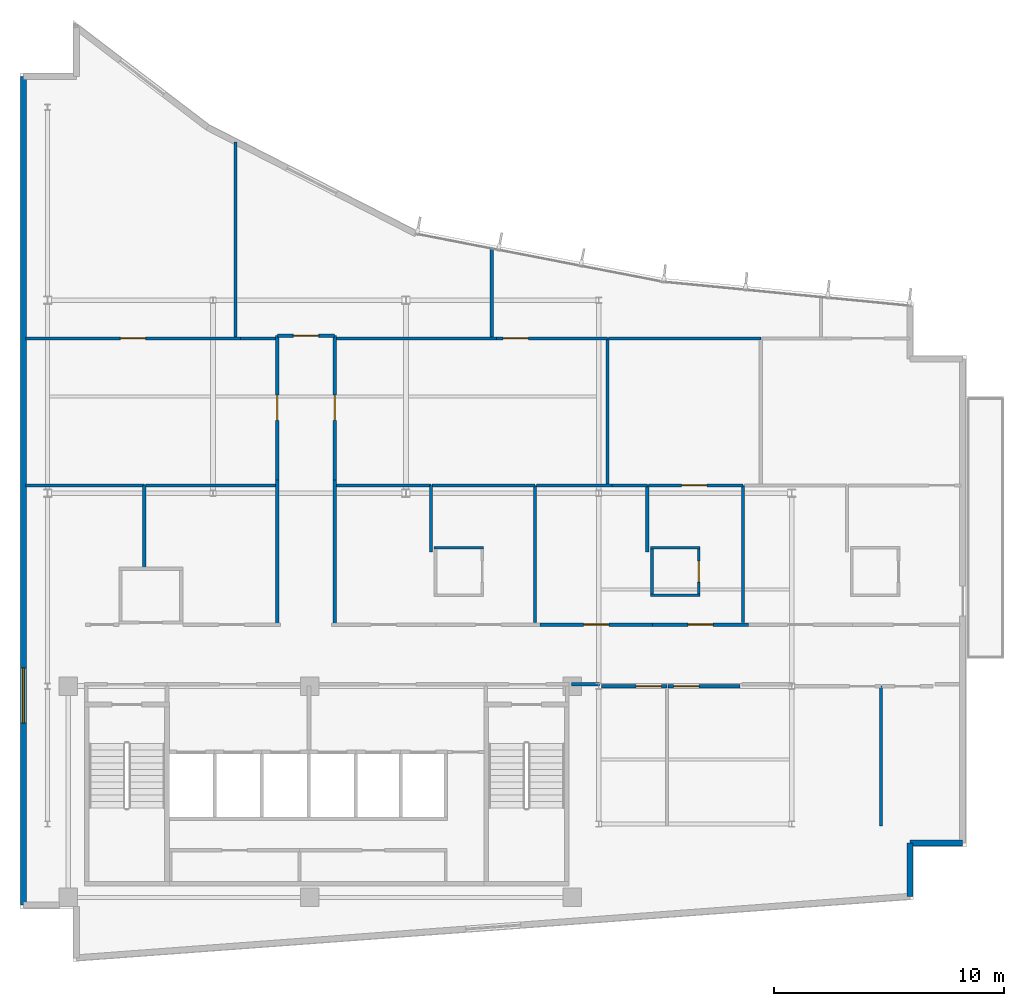
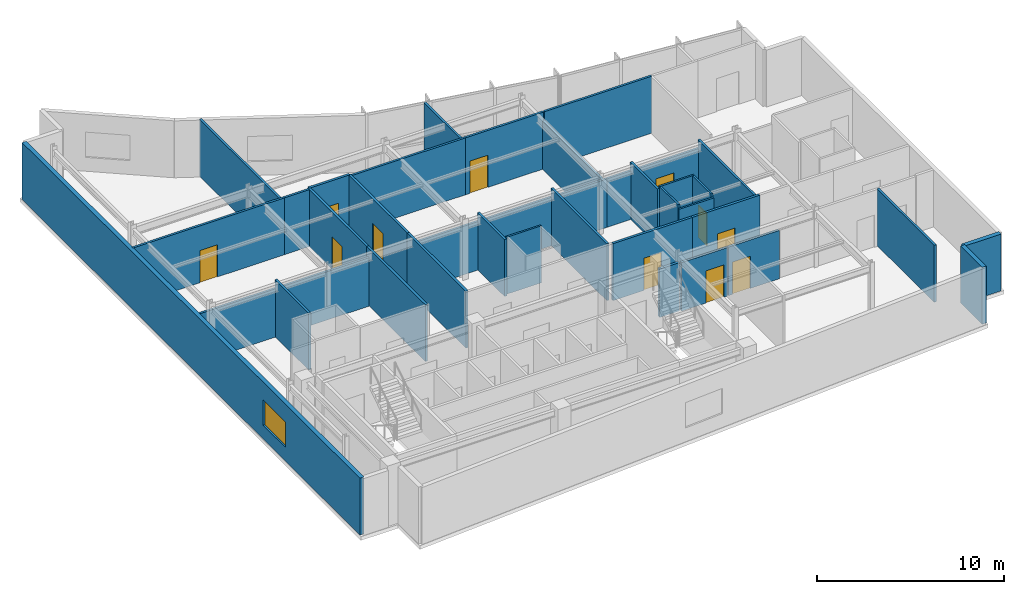
# One storey, part 11 of 15: 39 walls, 11 doors, 1 window, 12 openings.
"""IFC4 building model written with IfcOpenShell, lengths in metres."""

from ifc_helpers import new_model, si_unit, direction, frame, frame_2d, origin, place, context, subcontext, project, spatial, rectangle, extrude, material, layer, layer_set, type_object, element, fill, save


model = new_model("IFC4")

# Units and contexts
model_context = context("Model", 3, precision=1e-05, world=origin(), true_north=direction((0.0, 1.0)))
body_context = subcontext(model_context, "Body", "Model", "MODEL_VIEW")
ifc_project = project(units=[si_unit("LENGTHUNIT", "METRE"), si_unit("AREAUNIT", "SQUARE_METRE"), si_unit("VOLUMEUNIT", "CUBIC_METRE"), si_unit("PLANEANGLEUNIT", "RADIAN"), si_unit("MASSUNIT", "GRAM", prefix="KILO")], contexts=[model_context])

# Site, building, storey
site_placement = place(None, origin())
site = spatial("IfcSite", under=ifc_project, at=site_placement, CompositionType="ELEMENT")
building_placement = place(site_placement, origin())
building = spatial("IfcBuilding", under=site, at=building_placement, Name="Varnakote Quay Hospital", CompositionType="ELEMENT")
storey_placement = place(building_placement, frame((0.0, 0.0, 276.300048828125)))
storey = spatial("IfcBuildingStorey", under=building, at=storey_placement, Name="L68", CompositionType="ELEMENT", Elevation=276.300048828125)

# Walls
ifc_material_1 = material(Name="Fire-rated acoustic gypsum stud wall", Category="gypsum")
ifc_layer_1 = layer(ifc_material_1, 0.159912109375)
ifc_layer_set_1 = layer_set([ifc_layer_1], Name="Fire-rated acoustic gypsum stud wall")
wall_type_1 = type_object("IfcWallType", Name="WL-COMP-160", PredefinedType="PARTITIONING", material=ifc_layer_set_1)
wall_1_placement = place(storey_placement, frame((24.02001953125, 12.080078125, 0.0), z_axis=(0.0, 0.0, 1.0), x_axis=(1.0, 0.0, 0.0)))
element("IfcWall", 1, at=wall_1_placement, inside=storey, type_object=wall_type_1, Name="L68 Corridor South Gap Wall", PredefinedType="PARTITIONING", context=body_context, shape_type="SweptSolid", body=[
    extrude(rectangle(XDim=1.2177734375, YDim=0.159912109375, at=frame_2d((0.60888671875, 0.0))), origin(), (0.0, 0.0, 1.0), 3.156982421875),
])
ifc_material_2 = material(Name="Moisture-resistant bathroom partition", Category="gypsum")
ifc_layer_2 = layer(ifc_material_2, 0.114990234375)
ifc_layer_set_2 = layer_set([ifc_layer_2], Name="Moisture-resistant bathroom partition")
wall_type_2 = type_object("IfcWallType", Name="WL-ENS-115", PredefinedType="PARTITIONING", material=ifc_layer_set_2)
wall_2_placement = place(storey_placement, frame((18.034912109375, 18.017578125, 0.0), z_axis=(0.0, 0.0, 1.0), x_axis=(1.0, 0.0, 0.0)))
element("IfcWall", 2, at=wall_2_placement, inside=storey, type_object=wall_type_2, Name="L68 Inpatient En-Suite Bathroom 01 N Wall", PredefinedType="PARTITIONING", context=body_context, shape_type="SweptSolid", body=[
    extrude(rectangle(XDim=2.150146484375, YDim=0.114990234375, at=frame_2d((1.0751953125, 0.0))), origin(), (0.0, 0.0, 1.0), 3.7099609375),
])
wall_3_placement = place(storey_placement, frame((27.455078125, 15.952392578125, 0.0), z_axis=(0.0, 0.0, 1.0), x_axis=(1.0, 0.0, 0.0)))
element("IfcWall", 3, at=wall_3_placement, inside=storey, type_object=wall_type_2, Name="L68 Inpatient En-Suite Bathroom 02 S Wall", PredefinedType="PARTITIONING", context=body_context, shape_type="SweptSolid", body=[
    extrude(rectangle(XDim=2.14990234375, YDim=0.114990234375, at=frame_2d((1.074951171875, 0.0))), origin(), (0.0, 0.0, 1.0), 3.47802734375),
])
wall_4_placement = place(storey_placement, frame((27.455078125, 18.017578125, 0.0), z_axis=(0.0, 0.0, 1.0), x_axis=(1.0, 0.0, 0.0)))
element("IfcWall", 4, at=wall_4_placement, inside=storey, type_object=wall_type_2, Name="L68 Inpatient En-Suite Bathroom 02 N Wall", PredefinedType="PARTITIONING", context=body_context, shape_type="SweptSolid", body=[
    extrude(rectangle(XDim=2.14990234375, YDim=0.114990234375, at=frame_2d((1.074951171875, 0.0))), origin(), (0.0, 0.0, 1.0), 3.7099609375),
])
wall_5_placement = place(storey_placement, frame((27.512451171875, 16.010009765625, 0.0), z_axis=(0.0, 0.0, 1.0), x_axis=(0.0, 1.0, 0.0)))
element("IfcWall", 5, at=wall_5_placement, inside=storey, type_object=wall_type_2, Name="L68 Inpatient En-Suite Bathroom 02 W Wall", PredefinedType="PARTITIONING", context=body_context, shape_type="SweptSolid", body=[
    extrude(rectangle(XDim=1.949951171875, YDim=0.114990234375, at=frame_2d((0.97509765625, 0.0))), origin(), (0.0, 0.0, 1.0), 3.7099609375),
])

# Wall, opening, door
wall_6_placement = place(storey_placement, frame((29.547607421875, 16.010009765625, 0.0), z_axis=(0.0, 0.0, 1.0), x_axis=(0.0, 1.0, 0.0)))
wall_6 = element("IfcWall", 6, at=wall_6_placement, inside=storey, type_object=wall_type_2, Name="L68 Inpatient En-Suite Bathroom 02 E Wall", PredefinedType="PARTITIONING", context=body_context, shape_type="SweptSolid", body=[
    extrude(rectangle(XDim=1.949951171875, YDim=0.114990234375, at=frame_2d((0.97509765625, 0.0))), origin(), (0.0, 0.0, 1.0), 3.7099609375),
])
opening_1_placement = place(wall_6_placement, frame((0.514892578125, 0.0, 0.0)))
opening_1 = element("IfcOpeningElement", 7, at=opening_1_placement, cuts=wall_6, Name="Opening D-L68-ENS02", PredefinedType="OPENING", context=body_context, shape_type="SweptSolid", body=[
    extrude(rectangle(XDim=0.919921875, YDim=2.10009765625, at=frame_2d((0.4599609375, 1.050048828125))), frame((0.0, 0.0673828125, 0.0), z_axis=(0.0, -1.0, 0.0), x_axis=(1.0, 0.0, 0.0)), (0.0, 0.0, 1.0), 0.135009765625),
])
ifc_material_3 = material(Name="Moisture-sealed en-suite bathroom door")
door_type_1 = type_object("IfcDoorType", Name="DR-ENS-920x2100", OperationType="NOTDEFINED", PredefinedType="DOOR", material=ifc_material_3)
door_1_placement = place(opening_1_placement, origin())
door_1 = element("IfcDoor", 8, at=door_1_placement, inside=storey, type_object=door_type_1, Name="L68 Inpatient En-Suite Bathroom 02 Door", OperationType="SINGLE_SWING_RIGHT", OverallHeight=2.10009765625, OverallWidth=0.919921875, PredefinedType="DOOR", context=body_context, shape_type="SweptSolid", body=[
    extrude(rectangle(XDim=0.919921875, YDim=2.10009765625, at=frame_2d((0.4599609375, 1.050048828125))), frame((0.0, 0.02490234375, 0.0), z_axis=(0.0, -1.0, 0.0), x_axis=(1.0, 0.0, 0.0)), (0.0, 0.0, 1.0), 0.050048828125),
])
fill(opening_1, door_1)

# Walls
ifc_material_4 = material(Name="Precast concrete N50 (f'c 50 MPa)", Category="concrete")
ifc_layer_3 = layer(ifc_material_4, 0.260009765625)
ifc_layer_set_3 = layer_set([ifc_layer_3], Name="Precast concrete N50 (f'c 50 MPa)")
wall_type_3 = type_object("IfcWallType", Name="WL-EXT-BRICK-260", PredefinedType="STANDARD", material=ifc_layer_set_3)
wall_7_placement = place(storey_placement, frame((38.739990234375, 2.8486328125, 0.0), z_axis=(0.0, 0.0, 1.0), x_axis=(0.0, 1.0, 0.0)))
element("IfcWall", 9, at=wall_7_placement, inside=storey, type_object=wall_type_3, Name="L68 Brick-Faced Precast Exterior Wall", PredefinedType="STANDARD", context=body_context, shape_type="SweptSolid", body=[
    extrude(rectangle(XDim=2.311279296875, YDim=0.260009765625, at=frame_2d((1.15576171875, 0.0))), origin(), (0.0, 0.0, 1.0), 3.7099609375),
])
wall_8_placement = place(storey_placement, frame((38.739990234375, 5.159912109375, 0.0), z_axis=(0.0, 0.0, 1.0), x_axis=(1.0, 0.0, 0.0)))
element("IfcWall", 10, at=wall_8_placement, inside=storey, type_object=wall_type_3, Name="L68 Brick-Faced Precast Exterior Wall", PredefinedType="STANDARD", context=body_context, shape_type="SweptSolid", body=[
    extrude(rectangle(XDim=2.300048828125, YDim=0.260009765625, at=frame_2d((1.14990234375, 0.0))), origin(), (0.0, 0.0, 1.0), 3.7099609375),
])

# Wall, opening, window
wall_9_placement = place(storey_placement, frame((0.159912109375, 38.5400390625, 0.0), z_axis=(0.0, 0.0, 1.0), x_axis=(0.0, -1.0, 0.0)))
wall_9 = element("IfcWall", 11, at=wall_9_placement, inside=storey, type_object=wall_type_3, Name="L68 Brick-Faced Precast Exterior Wall", PredefinedType="STANDARD", context=body_context, shape_type="SweptSolid", body=[
    extrude(rectangle(XDim=36.080078125, YDim=0.260009765625, at=frame_2d((18.0400390625, 0.0))), origin(), (0.0, 0.0, 1.0), 3.7099609375),
])
opening_2_placement = place(wall_9_placement, frame((25.75, 0.0, 0.89990234375)))
opening_2 = element("IfcOpeningElement", 12, at=opening_2_placement, cuts=wall_9, Name="Opening WN-0277", PredefinedType="OPENING", context=body_context, shape_type="SweptSolid", body=[
    extrude(rectangle(XDim=2.39990234375, YDim=1.64990234375, at=frame_2d((1.199951171875, 0.824951171875))), frame((0.0, 0.139892578125, 0.0), z_axis=(0.0, -1.0, 0.0), x_axis=(1.0, 0.0, 0.0)), (0.0, 0.0, 1.0), 0.280029296875),
])
ifc_material_5 = material(Name="Double-glazed low-E solar glass", Category="glass")
window_type = type_object("IfcWindowType", Name="WIN-CLIN-2400x1650", PartitioningType="SINGLE_PANEL", PredefinedType="WINDOW", material=ifc_material_5)
window_placement = place(opening_2_placement, origin())
window = element("IfcWindow", 13, at=window_placement, inside=storey, type_object=window_type, Name="L68 Solar-Control Clinical Window", OverallHeight=1.64990234375, OverallWidth=2.39990234375, PartitioningType="SINGLE_PANEL", PredefinedType="WINDOW", context=body_context, shape_type="SweptSolid", body=[
    extrude(rectangle(XDim=2.39990234375, YDim=1.64990234375, at=frame_2d((1.199951171875, 0.824951171875))), frame((0.0, 0.030029296875, 0.0), z_axis=(0.0, -1.0, 0.0), x_axis=(1.0, 0.0, 0.0)), (0.0, 0.0, 1.0), 0.06005859375),
])
fill(opening_2, window)

# Walls
ifc_material_6 = material(Name="Smoke-proof clinical partition", Category="gypsum")
ifc_layer_4 = layer(ifc_material_6, 0.135009765625)
ifc_layer_set_4 = layer_set([ifc_layer_4], Name="Smoke-proof clinical partition")
wall_type_4 = type_object("IfcWallType", Name="WL-SMOKE-135", PredefinedType="PARTITIONING", material=ifc_layer_set_4)
wall_10_placement = place(storey_placement, frame((37.47998046875, 5.89990234375, 0.0), z_axis=(0.0, 0.0, 1.0), x_axis=(0.0, 1.0, 0.0)))
element("IfcWall", 14, at=wall_10_placement, inside=storey, type_object=wall_type_4, Name="L68 Clinical Interior Partition", PredefinedType="PARTITIONING", context=body_context, shape_type="SweptSolid", body=[
    extrude(rectangle(XDim=6.10009765625, YDim=0.135009765625, at=frame_2d((3.050048828125, 0.0))), origin(), (0.0, 0.0, 1.0), 3.7099609375),
])
wall_11_placement = place(storey_placement, frame((5.409912109375, 17.139892578125, 0.0), z_axis=(0.0, 0.0, 1.0), x_axis=(0.0, 1.0, 0.0)))
element("IfcWall", 15, at=wall_11_placement, inside=storey, type_object=wall_type_4, Name="L68 Clinical Interior Partition", PredefinedType="PARTITIONING", context=body_context, shape_type="SweptSolid", body=[
    extrude(rectangle(XDim=3.60009765625, YDim=0.135009765625, at=frame_2d((1.800048828125, 0.0))), origin(), (0.0, 0.0, 1.0), 3.7099609375),
])
wall_12_placement = place(storey_placement, frame((5.409912109375, 20.739990234375, 0.0), z_axis=(0.0, 0.0, 1.0), x_axis=(-1.0, 0.0, 0.0)))
element("IfcWall", 16, at=wall_12_placement, inside=storey, type_object=wall_type_4, Name="L68 Clinical Interior Partition", PredefinedType="PARTITIONING", context=body_context, shape_type="SweptSolid", body=[
    extrude(rectangle(XDim=5.169921875, YDim=0.135009765625, at=frame_2d((2.5849609375, 0.0))), origin(), (0.0, 0.0, 1.0), 3.156982421875),
])
wall_13_placement = place(storey_placement, frame((11.1201171875, 20.739990234375, 0.0), z_axis=(0.0, 0.0, 1.0), x_axis=(-1.0, 0.0, 0.0)))
element("IfcWall", 17, at=wall_13_placement, inside=storey, type_object=wall_type_4, Name="L68 Clinical Interior Partition", PredefinedType="PARTITIONING", context=body_context, shape_type="SweptSolid", body=[
    extrude(rectangle(XDim=5.652587890625, YDim=0.135009765625, at=frame_2d((2.826171875, 0.0))), origin(), (0.0, 0.0, 1.0), 3.156982421875),
])
wall_14_placement = place(storey_placement, frame((17.889892578125, 17.83251953125, 0.0), z_axis=(0.0, 0.0, 1.0), x_axis=(0.0, 1.0, 0.0)))
element("IfcWall", 18, at=wall_14_placement, inside=storey, type_object=wall_type_4, Name="L68 Clinical Interior Partition", PredefinedType="PARTITIONING", context=body_context, shape_type="SweptSolid", body=[
    extrude(rectangle(XDim=2.907470703125, YDim=0.135009765625, at=frame_2d((1.45361328125, 0.0))), origin(), (0.0, 0.0, 1.0), 3.7099609375),
])
wall_15_placement = place(storey_placement, frame((17.889892578125, 20.739990234375, 0.0), z_axis=(0.0, 0.0, 1.0), x_axis=(-1.0, 0.0, 0.0)))
element("IfcWall", 19, at=wall_15_placement, inside=storey, type_object=wall_type_4, Name="L68 Clinical Interior Partition", PredefinedType="PARTITIONING", context=body_context, shape_type="SweptSolid", body=[
    extrude(rectangle(XDim=4.10986328125, YDim=0.135009765625, at=frame_2d((2.054931640625, 0.0))), origin(), (0.0, 0.0, 1.0), 3.156982421875),
])
wall_16_placement = place(storey_placement, frame((22.419921875, 14.760009765625, 0.0), z_axis=(0.0, 0.0, 1.0), x_axis=(0.0, 1.0, 0.0)))
element("IfcWall", 20, at=wall_16_placement, inside=storey, type_object=wall_type_4, Name="L68 Clinical Interior Partition", PredefinedType="PARTITIONING", context=body_context, shape_type="SweptSolid", body=[
    extrude(rectangle(XDim=5.97998046875, YDim=0.135009765625, at=frame_2d((2.989990234375, 0.0))), origin(), (0.0, 0.0, 1.0), 3.7099609375),
])
wall_17_placement = place(storey_placement, frame((22.419921875, 20.739990234375, 0.0), z_axis=(0.0, 0.0, 1.0), x_axis=(-1.0, 0.0, 0.0)))
element("IfcWall", 21, at=wall_17_placement, inside=storey, type_object=wall_type_4, Name="L68 Clinical Interior Partition", PredefinedType="PARTITIONING", context=body_context, shape_type="SweptSolid", body=[
    extrude(rectangle(XDim=4.472412109375, YDim=0.135009765625, at=frame_2d((2.236328125, 0.0))), origin(), (0.0, 0.0, 1.0), 3.156982421875),
])
wall_18_placement = place(storey_placement, frame((27.31005859375, 17.83251953125, 0.0), z_axis=(0.0, 0.0, 1.0), x_axis=(0.0, 1.0, 0.0)))
element("IfcWall", 22, at=wall_18_placement, inside=storey, type_object=wall_type_4, Name="L68 Clinical Interior Partition", PredefinedType="PARTITIONING", context=body_context, shape_type="SweptSolid", body=[
    extrude(rectangle(XDim=2.907470703125, YDim=0.135009765625, at=frame_2d((1.45361328125, 0.0))), origin(), (0.0, 0.0, 1.0), 3.7099609375),
])
wall_19_placement = place(storey_placement, frame((25.777587890625, 20.739990234375, 0.0), z_axis=(0.0, 0.0, 1.0), x_axis=(-1.0, 0.0, 0.0)))
element("IfcWall", 23, at=wall_19_placement, inside=storey, type_object=wall_type_4, Name="L68 Clinical Interior Partition", PredefinedType="PARTITIONING", context=body_context, shape_type="SweptSolid", body=[
    extrude(rectangle(XDim=3.300048828125, YDim=0.135009765625, at=frame_2d((1.64990234375, 0.0))), origin(), (0.0, 0.0, 1.0), 3.156982421875),
])
wall_20_placement = place(storey_placement, frame((27.31005859375, 20.739990234375, 0.0), z_axis=(0.0, 0.0, 1.0), x_axis=(-1.0, 0.0, 0.0)))
element("IfcWall", 24, at=wall_20_placement, inside=storey, type_object=wall_type_4, Name="L68 Clinical Interior Partition", PredefinedType="PARTITIONING", context=body_context, shape_type="SweptSolid", body=[
    extrude(rectangle(XDim=1.530517578125, YDim=0.135009765625, at=frame_2d((0.76513671875, 0.0))), origin(), (0.0, 0.0, 1.0), 3.156982421875),
])
wall_21_placement = place(storey_placement, frame((31.47998046875, 14.760009765625, 0.0), z_axis=(0.0, 0.0, 1.0), x_axis=(0.0, 1.0, 0.0)))
element("IfcWall", 25, at=wall_21_placement, inside=storey, type_object=wall_type_4, Name="L68 Clinical Interior Partition", PredefinedType="PARTITIONING", context=body_context, shape_type="SweptSolid", body=[
    extrude(rectangle(XDim=5.97998046875, YDim=0.135009765625, at=frame_2d((2.989990234375, 0.0))), origin(), (0.0, 0.0, 1.0), 3.7099609375),
])

# Wall, opening, door
wall_22_placement = place(storey_placement, frame((31.47998046875, 20.739990234375, 0.0), z_axis=(0.0, 0.0, 1.0), x_axis=(-1.0, 0.0, 0.0)))
wall_22 = element("IfcWall", 26, at=wall_22_placement, inside=storey, type_object=wall_type_4, Name="L68 Clinical Interior Partition", PredefinedType="PARTITIONING", context=body_context, shape_type="SweptSolid", body=[
    extrude(rectangle(XDim=4.112548828125, YDim=0.135009765625, at=frame_2d((2.05615234375, 0.0))), origin(), (0.0, 0.0, 1.0), 3.156982421875),
])
opening_3_placement = place(wall_22_placement, frame((1.571533203125, 0.0, 0.0)))
opening_3 = element("IfcOpeningElement", 27, at=opening_3_placement, cuts=wall_22, Name="Opening D-L68-MD08", PredefinedType="OPENING", context=body_context, shape_type="SweptSolid", body=[
    extrude(rectangle(XDim=1.10009765625, YDim=2.10009765625, at=frame_2d((0.550048828125, 1.050048828125))), frame((0.0, 0.077392578125, 0.0), z_axis=(0.0, -1.0, 0.0), x_axis=(1.0, 0.0, 0.0)), (0.0, 0.0, 1.0), 0.155029296875),
])
ifc_material_7 = material(Name="Acoustic timber clinical consult door", Category="wood")
door_type_2 = type_object("IfcDoorType", Name="DR-CLIN-FD30S-1100x2100", OperationType="NOTDEFINED", PredefinedType="DOOR", material=ifc_material_7)
door_2_placement = place(opening_3_placement, origin())
door_2 = element("IfcDoor", 28, at=door_2_placement, inside=storey, type_object=door_type_2, Name="L68 Fellowship Consult Office Door", OperationType="SINGLE_SWING_LEFT", OverallHeight=2.10009765625, OverallWidth=1.10009765625, PredefinedType="DOOR", context=body_context, shape_type="SweptSolid", body=[
    extrude(rectangle(XDim=1.10009765625, YDim=2.10009765625, at=frame_2d((0.550048828125, 1.050048828125))), frame((0.0, 0.02490234375, 0.0), z_axis=(0.0, -1.0, 0.0), x_axis=(1.0, 0.0, 0.0)), (0.0, 0.0, 1.0), 0.050048828125),
])
fill(opening_3, door_2)

wall_23_placement = place(storey_placement, frame((9.597412109375, 27.139892578125, 0.0), z_axis=(0.0, 0.0, 1.0), x_axis=(-1.0, 0.0, 0.0)))
wall_23 = element("IfcWall", 29, at=wall_23_placement, inside=storey, type_object=wall_type_4, Name="L68 Clinical Interior Partition", PredefinedType="PARTITIONING", context=body_context, shape_type="SweptSolid", body=[
    extrude(rectangle(XDim=9.357421875, YDim=0.135009765625, at=frame_2d((4.6787109375, 0.0))), origin(), (0.0, 0.0, 1.0), 3.7099609375),
])
opening_4_placement = place(wall_23_placement, frame((4.12890625, 0.0, 0.0)))
opening_4 = element("IfcOpeningElement", 30, at=opening_4_placement, cuts=wall_23, Name="Opening D-L68-MD09", PredefinedType="OPENING", context=body_context, shape_type="SweptSolid", body=[
    extrude(rectangle(XDim=1.10009765625, YDim=2.10009765625, at=frame_2d((0.550048828125, 1.050048828125))), frame((0.0, 0.077392578125, 0.0), z_axis=(0.0, -1.0, 0.0), x_axis=(1.0, 0.0, 0.0)), (0.0, 0.0, 1.0), 0.155029296875),
])
door_3_placement = place(opening_4_placement, origin())
door_3 = element("IfcDoor", 31, at=door_3_placement, inside=storey, type_object=door_type_2, Name="L68 Surgical Fellowship Teaching Room Door", OperationType="SINGLE_SWING_LEFT", OverallHeight=2.10009765625, OverallWidth=1.10009765625, PredefinedType="DOOR", context=body_context, shape_type="SweptSolid", body=[
    extrude(rectangle(XDim=1.10009765625, YDim=2.10009765625, at=frame_2d((0.550048828125, 1.050048828125))), frame((0.0, 0.02490234375, 0.0), z_axis=(0.0, -1.0, 0.0), x_axis=(1.0, 0.0, 0.0)), (0.0, 0.0, 1.0), 0.050048828125),
])
fill(opening_4, door_3)

# Walls
wall_24_placement = place(storey_placement, frame((11.1201171875, 27.139892578125, 0.0), z_axis=(0.0, 0.0, 1.0), x_axis=(-1.0, 0.0, 0.0)))
element("IfcWall", 32, at=wall_24_placement, inside=storey, type_object=wall_type_4, Name="L68 Clinical Interior Partition", PredefinedType="PARTITIONING", context=body_context, shape_type="SweptSolid", body=[
    extrude(rectangle(XDim=1.5205078125, YDim=0.135009765625, at=frame_2d((0.76025390625, 0.0))), origin(), (0.0, 0.0, 1.0), 3.7099609375),
])
wall_25_placement = place(storey_placement, frame((25.570068359375, 20.797607421875, 0.0), z_axis=(0.0, 0.0, 1.0), x_axis=(0.0, 1.0, 0.0)))
element("IfcWall", 33, at=wall_25_placement, inside=storey, type_object=wall_type_4, Name="L68 Clinical Interior Partition", PredefinedType="PARTITIONING", context=body_context, shape_type="SweptSolid", body=[
    extrude(rectangle(XDim=6.34228515625, YDim=0.135009765625, at=frame_2d((3.171142578125, 0.0))), origin(), (0.0, 0.0, 1.0), 3.156982421875),
])
wall_26_placement = place(storey_placement, frame((20.74755859375, 27.139892578125, 0.0), z_axis=(0.0, 0.0, 1.0), x_axis=(-1.0, 0.0, 0.0)))
element("IfcWall", 34, at=wall_26_placement, inside=storey, type_object=wall_type_4, Name="L68 Clinical Interior Partition", PredefinedType="PARTITIONING", context=body_context, shape_type="SweptSolid", body=[
    extrude(rectangle(XDim=6.967529296875, YDim=0.135009765625, at=frame_2d((3.48388671875, 0.0))), origin(), (0.0, 0.0, 1.0), 3.7099609375),
])

# Wall, opening, door
wall_27_placement = place(storey_placement, frame((25.570068359375, 27.139892578125, 0.0), z_axis=(0.0, 0.0, 1.0), x_axis=(-1.0, 0.0, 0.0)))
wall_27 = element("IfcWall", 35, at=wall_27_placement, inside=storey, type_object=wall_type_4, Name="L68 Clinical Interior Partition", PredefinedType="PARTITIONING", context=body_context, shape_type="SweptSolid", body=[
    extrude(rectangle(XDim=4.820556640625, YDim=0.135009765625, at=frame_2d((2.41015625, 0.0))), origin(), (0.0, 0.0, 1.0), 3.7099609375),
])
opening_5_placement = place(wall_27_placement, frame((3.4375, 0.0, 0.0)))
opening_5 = element("IfcOpeningElement", 36, at=opening_5_placement, cuts=wall_27, Name="Opening D-L68-MD11", PredefinedType="OPENING", context=body_context, shape_type="SweptSolid", body=[
    extrude(rectangle(XDim=1.10009765625, YDim=2.10009765625, at=frame_2d((0.550048828125, 1.050048828125))), frame((0.0, 0.077392578125, 0.0), z_axis=(0.0, -1.0, 0.0), x_axis=(1.0, 0.0, 0.0)), (0.0, 0.0, 1.0), 0.155029296875),
])
door_4_placement = place(opening_5_placement, origin())
door_4 = element("IfcDoor", 37, at=door_4_placement, inside=storey, type_object=door_type_2, Name="L68 Clinical Audit Meeting Room Door", OperationType="SINGLE_SWING_RIGHT", OverallHeight=2.10009765625, OverallWidth=1.10009765625, PredefinedType="DOOR", context=body_context, shape_type="SweptSolid", body=[
    extrude(rectangle(XDim=1.10009765625, YDim=2.10009765625, at=frame_2d((0.550048828125, 1.050048828125))), frame((0.0, 0.02490234375, 0.0), z_axis=(0.0, -1.0, 0.0), x_axis=(1.0, 0.0, 0.0)), (0.0, 0.0, 1.0), 0.050048828125),
])
fill(opening_5, door_4)

# Walls
wall_28_placement = place(storey_placement, frame((32.25, 27.139892578125, 0.0), z_axis=(0.0, 0.0, 1.0), x_axis=(-1.0, 0.0, 0.0)))
element("IfcWall", 38, at=wall_28_placement, inside=storey, type_object=wall_type_4, Name="L68 Clinical Interior Partition", PredefinedType="PARTITIONING", context=body_context, shape_type="SweptSolid", body=[
    extrude(rectangle(XDim=6.62255859375, YDim=0.135009765625, at=frame_2d((3.311279296875, 0.0))), origin(), (0.0, 0.0, 1.0), 3.7099609375),
])
wall_29_placement = place(storey_placement, frame((9.389892578125, 27.197509765625, 0.0), z_axis=(0.0, 0.0, 1.0), x_axis=(0.0, 1.0, 0.0)))
element("IfcWall", 39, at=wall_29_placement, inside=storey, type_object=wall_type_4, Name="L68 Clinical Interior Partition", PredefinedType="PARTITIONING", context=body_context, shape_type="SweptSolid", body=[
    extrude(rectangle(XDim=8.495849609375, YDim=0.135009765625, at=frame_2d((4.248046875, 0.0))), origin(), (0.0, 0.0, 1.0), 3.7099609375),
])
wall_30_placement = place(storey_placement, frame((20.5400390625, 27.197509765625, 0.0), z_axis=(0.0, 0.0, 1.0), x_axis=(0.0, 1.0, 0.0)))
element("IfcWall", 40, at=wall_30_placement, inside=storey, type_object=wall_type_4, Name="L68 Clinical Interior Partition", PredefinedType="PARTITIONING", context=body_context, shape_type="SweptSolid", body=[
    extrude(rectangle(XDim=3.845703125, YDim=0.135009765625, at=frame_2d((1.9228515625, 0.0))), origin(), (0.0, 0.0, 1.0), 3.7099609375),
])

# Wall, opening, door
ifc_material_8 = material(Name="Fire-rated clinical gypsum partition", Category="gypsum")
ifc_layer_5 = layer(ifc_material_8, 0.14990234375)
ifc_layer_set_5 = layer_set([ifc_layer_5], Name="Fire-rated clinical gypsum partition")
wall_type_5 = type_object("IfcWallType", Name="WL-WARD-150", PredefinedType="PARTITIONING", material=ifc_layer_set_5)
wall_31_placement = place(storey_placement, frame((28.159912109375, 12.0, 0.0), z_axis=(0.0, 0.0, 1.0), x_axis=(-1.0, 0.0, 0.0)))
wall_31 = element("IfcWall", 41, at=wall_31_placement, inside=storey, type_object=wall_type_5, Name="L68 Clinical Interior Partition", PredefinedType="PARTITIONING", context=body_context, shape_type="SweptSolid", body=[
    extrude(rectangle(XDim=2.8330078125, YDim=0.14990234375, at=frame_2d((1.41650390625, 0.0))), origin(), (0.0, 0.0, 1.0), 3.156982421875),
])
opening_6_placement = place(wall_31_placement, frame((0.2333984375, 0.0, 0.0)))
opening_6 = element("IfcOpeningElement", 42, at=opening_6_placement, cuts=wall_31, Name="Opening D-L68-RL1", PredefinedType="OPENING", context=body_context, shape_type="SweptSolid", body=[
    extrude(rectangle(XDim=1.10009765625, YDim=2.10009765625, at=frame_2d((0.550048828125, 1.050048828125))), frame((0.0, 0.0849609375, 0.0), z_axis=(0.0, -1.0, 0.0), x_axis=(1.0, 0.0, 0.0)), (0.0, 0.0, 1.0), 0.169921875),
])
door_5_placement = place(opening_6_placement, origin())
door_5 = element("IfcDoor", 43, at=door_5_placement, inside=storey, type_object=door_type_2, Name="L68 Day Infusion Treatment Suite Door", OperationType="SINGLE_SWING_RIGHT", OverallHeight=2.10009765625, OverallWidth=1.10009765625, PredefinedType="DOOR", context=body_context, shape_type="SweptSolid", body=[
    extrude(rectangle(XDim=1.10009765625, YDim=2.10009765625, at=frame_2d((0.550048828125, 1.050048828125))), frame((0.0, 0.02490234375, 0.0), z_axis=(0.0, -1.0, 0.0), x_axis=(1.0, 0.0, 0.0)), (0.0, 0.0, 1.0), 0.050048828125),
])
fill(opening_6, door_5)

wall_32_placement = place(storey_placement, frame((31.35009765625, 12.0, 0.0), z_axis=(0.0, 0.0, 1.0), x_axis=(-1.0, 0.0, 0.0)))
wall_32 = element("IfcWall", 44, at=wall_32_placement, inside=storey, type_object=wall_type_5, Name="L68 Clinical Interior Partition", PredefinedType="PARTITIONING", context=body_context, shape_type="SweptSolid", body=[
    extrude(rectangle(XDim=3.132568359375, YDim=0.14990234375, at=frame_2d((1.56640625, 0.0))), origin(), (0.0, 0.0, 1.0), 3.156982421875),
])
opening_7_placement = place(wall_32_placement, frame((1.791748046875, 0.0, 0.0)))
opening_7 = element("IfcOpeningElement", 45, at=opening_7_placement, cuts=wall_32, Name="Opening D-L68-RL2", PredefinedType="OPENING", context=body_context, shape_type="SweptSolid", body=[
    extrude(rectangle(XDim=1.10009765625, YDim=2.10009765625, at=frame_2d((0.550048828125, 1.050048828125))), frame((0.0, 0.0849609375, 0.0), z_axis=(0.0, -1.0, 0.0), x_axis=(1.0, 0.0, 0.0)), (0.0, 0.0, 1.0), 0.169921875),
])
door_6_placement = place(opening_7_placement, origin())
door_6 = element("IfcDoor", 46, at=door_6_placement, inside=storey, type_object=door_type_2, Name="L68 Telemedicine Consult Office Door", OperationType="SINGLE_SWING_LEFT", OverallHeight=2.10009765625, OverallWidth=1.10009765625, PredefinedType="DOOR", context=body_context, shape_type="SweptSolid", body=[
    extrude(rectangle(XDim=1.10009765625, YDim=2.10009765625, at=frame_2d((0.550048828125, 1.050048828125))), frame((0.0, 0.02490234375, 0.0), z_axis=(0.0, -1.0, 0.0), x_axis=(1.0, 0.0, 0.0)), (0.0, 0.0, 1.0), 0.050048828125),
])
fill(opening_7, door_6)

wall_33_placement = place(storey_placement, frame((27.535888671875, 14.679931640625, 0.0), z_axis=(0.0, 0.0, 1.0), x_axis=(-1.0, 0.0, 0.0)))
wall_33 = element("IfcWall", 47, at=wall_33_placement, inside=storey, type_object=wall_type_5, Name="L68 Clinical Interior Partition", PredefinedType="PARTITIONING", context=body_context, shape_type="SweptSolid", body=[
    extrude(rectangle(XDim=4.887939453125, YDim=0.14990234375, at=frame_2d((2.44384765625, 0.0))), origin(), (0.0, 0.0, 1.0), 3.7099609375),
])
opening_8_placement = place(wall_33_placement, frame((1.89404296875, 0.0, 0.0)))
opening_8 = element("IfcOpeningElement", 48, at=opening_8_placement, cuts=wall_33, Name="Opening D-L68-MD04", PredefinedType="OPENING", context=body_context, shape_type="SweptSolid", body=[
    extrude(rectangle(XDim=1.10009765625, YDim=2.10009765625, at=frame_2d((0.550048828125, 1.050048828125))), frame((0.0, 0.0849609375, 0.0), z_axis=(0.0, -1.0, 0.0), x_axis=(1.0, 0.0, 0.0)), (0.0, 0.0, 1.0), 0.169921875),
])
door_7_placement = place(opening_8_placement, origin())
door_7 = element("IfcDoor", 49, at=door_7_placement, inside=storey, type_object=door_type_2, Name="L68 Fellowship Consult Office Door", OperationType="SINGLE_SWING_RIGHT", OverallHeight=2.10009765625, OverallWidth=1.10009765625, PredefinedType="DOOR", context=body_context, shape_type="SweptSolid", body=[
    extrude(rectangle(XDim=1.10009765625, YDim=2.10009765625, at=frame_2d((0.550048828125, 1.050048828125))), frame((0.0, 0.02490234375, 0.0), z_axis=(0.0, -1.0, 0.0), x_axis=(1.0, 0.0, 0.0)), (0.0, 0.0, 1.0), 0.050048828125),
])
fill(opening_8, door_7)

wall_34_placement = place(storey_placement, frame((31.7060546875, 14.679931640625, 0.0), z_axis=(0.0, 0.0, 1.0), x_axis=(-1.0, 0.0, 0.0)))
wall_34 = element("IfcWall", 50, at=wall_34_placement, inside=storey, type_object=wall_type_5, Name="L68 Clinical Interior Partition", PredefinedType="PARTITIONING", context=body_context, shape_type="SweptSolid", body=[
    extrude(rectangle(XDim=4.16796875, YDim=0.14990234375, at=frame_2d((2.083984375, 0.0))), origin(), (0.0, 0.0, 1.0), 3.7099609375),
])
opening_9_placement = place(wall_34_placement, frame((1.533935546875, 0.0, 0.0)))
opening_9 = element("IfcOpeningElement", 51, at=opening_9_placement, cuts=wall_34, Name="Opening D-L68-BR02", PredefinedType="OPENING", context=body_context, shape_type="SweptSolid", body=[
    extrude(rectangle(XDim=1.10009765625, YDim=2.10009765625, at=frame_2d((0.550048828125, 1.050048828125))), frame((0.0, 0.0849609375, 0.0), z_axis=(0.0, -1.0, 0.0), x_axis=(1.0, 0.0, 0.0)), (0.0, 0.0, 1.0), 0.169921875),
])
door_8_placement = place(opening_9_placement, origin())
door_8 = element("IfcDoor", 52, at=door_8_placement, inside=storey, type_object=door_type_2, Name="L68 Inpatient Clinical Treatment Room 02 Door", OperationType="SINGLE_SWING_LEFT", OverallHeight=2.10009765625, OverallWidth=1.10009765625, PredefinedType="DOOR", context=body_context, shape_type="SweptSolid", body=[
    extrude(rectangle(XDim=1.10009765625, YDim=2.10009765625, at=frame_2d((0.550048828125, 1.050048828125))), frame((0.0, 0.02490234375, 0.0), z_axis=(0.0, -1.0, 0.0), x_axis=(1.0, 0.0, 0.0)), (0.0, 0.0, 1.0), 0.050048828125),
])
fill(opening_9, door_8)

# Walls
for number, where, z_axis, x_axis, name in (
    (53, (11.199951171875, 20.966064453125, 0.0), (0.0, 0.0, 1.0), (0.0, -1.0, 0.0), "L68 Clinical Interior Partition"),
    (54, (13.699951171875, 14.699951171875, 0.0), (0.0, 0.0, 1.0), (0.0, 1.0, 0.0), "L68 Clinical Interior Partition"),
):
    element("IfcWall", number, at=place(storey_placement, frame(where, z_axis=z_axis, x_axis=x_axis)), inside=storey, type_object=wall_type_5, Name=name, PredefinedType="PARTITIONING", context=body_context, shape_type="SweptSolid", body=[
        extrude(rectangle(XDim=6.26611328125, YDim=0.14990234375, at=frame_2d((3.133056640625, 0.0))), origin(), (0.0, 0.0, 1.0), 3.7099609375),
    ])

# Wall, opening, door
wall_35_placement = place(storey_placement, frame((11.199951171875, 27.260009765625, 0.0), z_axis=(0.0, 0.0, 1.0), x_axis=(0.0, -1.0, 0.0)))
wall_35 = element("IfcWall", 55, at=wall_35_placement, inside=storey, type_object=wall_type_5, Name="L68 Clinical Interior Partition", PredefinedType="PARTITIONING", context=body_context, shape_type="SweptSolid", body=[
    extrude(rectangle(XDim=6.2919921875, YDim=0.14990234375, at=frame_2d((3.14599609375, 0.0))), origin(), (0.0, 0.0, 1.0), 3.7099609375),
])
opening_10_placement = place(wall_35_placement, frame((2.595947265625, 0.0, 0.0)))
opening_10 = element("IfcOpeningElement", 56, at=opening_10_placement, cuts=wall_35, Name="Opening D-L68-MD06", PredefinedType="OPENING", context=body_context, shape_type="SweptSolid", body=[
    extrude(rectangle(XDim=1.10009765625, YDim=2.10009765625, at=frame_2d((0.550048828125, 1.050048828125))), frame((0.0, 0.0849609375, 0.0), z_axis=(0.0, -1.0, 0.0), x_axis=(1.0, 0.0, 0.0)), (0.0, 0.0, 1.0), 0.169921875),
])
door_9_placement = place(opening_10_placement, origin())
door_9 = element("IfcDoor", 57, at=door_9_placement, inside=storey, type_object=door_type_2, Name="L68 Craniofacial Procedure Treatment Suite Door", OperationType="SINGLE_SWING_RIGHT", OverallHeight=2.10009765625, OverallWidth=1.10009765625, PredefinedType="DOOR", context=body_context, shape_type="SweptSolid", body=[
    extrude(rectangle(XDim=1.10009765625, YDim=2.10009765625, at=frame_2d((0.550048828125, 1.050048828125))), frame((0.0, 0.02490234375, 0.0), z_axis=(0.0, -1.0, 0.0), x_axis=(1.0, 0.0, 0.0)), (0.0, 0.0, 1.0), 0.050048828125),
])
fill(opening_10, door_9)

wall_36_placement = place(storey_placement, frame((13.699951171875, 20.968017578125, 0.0), z_axis=(0.0, 0.0, 1.0), x_axis=(0.0, 1.0, 0.0)))
wall_36 = element("IfcWall", 58, at=wall_36_placement, inside=storey, type_object=wall_type_5, Name="L68 Clinical Interior Partition", PredefinedType="PARTITIONING", context=body_context, shape_type="SweptSolid", body=[
    extrude(rectangle(XDim=6.2919921875, YDim=0.14990234375, at=frame_2d((3.14599609375, 0.0))), origin(), (0.0, 0.0, 1.0), 3.7099609375),
])
opening_11_placement = place(wall_36_placement, frame((2.595947265625, 0.0, 0.0)))
opening_11 = element("IfcOpeningElement", 59, at=opening_11_placement, cuts=wall_36, Name="Opening D-L68-MD07", PredefinedType="OPENING", context=body_context, shape_type="SweptSolid", body=[
    extrude(rectangle(XDim=1.10009765625, YDim=2.10009765625, at=frame_2d((0.550048828125, 1.050048828125))), frame((0.0, 0.0849609375, 0.0), z_axis=(0.0, -1.0, 0.0), x_axis=(1.0, 0.0, 0.0)), (0.0, 0.0, 1.0), 0.169921875),
])
door_10_placement = place(opening_11_placement, origin())
door_10 = element("IfcDoor", 60, at=door_10_placement, inside=storey, type_object=door_type_2, Name="L68 Clinical Audit Meeting Room Door", OperationType="SINGLE_SWING_LEFT", OverallHeight=2.10009765625, OverallWidth=1.10009765625, PredefinedType="DOOR", context=body_context, shape_type="SweptSolid", body=[
    extrude(rectangle(XDim=1.10009765625, YDim=2.10009765625, at=frame_2d((0.550048828125, 1.050048828125))), frame((0.0, 0.02490234375, 0.0), z_axis=(0.0, -1.0, 0.0), x_axis=(1.0, 0.0, 0.0)), (0.0, 0.0, 1.0), 0.050048828125),
])
fill(opening_11, door_10)

wall_37_placement = place(storey_placement, frame((13.699951171875, 27.260009765625, 0.0), z_axis=(0.0, 0.0, 1.0), x_axis=(-1.0, 0.0, 0.0)))
wall_37 = element("IfcWall", 61, at=wall_37_placement, inside=storey, type_object=wall_type_5, Name="L68 Clinical Interior Partition", PredefinedType="PARTITIONING", context=body_context, shape_type="SweptSolid", body=[
    extrude(rectangle(XDim=2.5, YDim=0.14990234375, at=frame_2d((1.25, 0.0))), origin(), (0.0, 0.0, 1.0), 3.7099609375),
])
opening_12_placement = place(wall_37_placement, frame((0.699951171875, 0.0, 0.0)))
opening_12 = element("IfcOpeningElement", 62, at=opening_12_placement, cuts=wall_37, Name="Opening D-L68-MD10", PredefinedType="OPENING", context=body_context, shape_type="SweptSolid", body=[
    extrude(rectangle(XDim=1.10009765625, YDim=2.10009765625, at=frame_2d((0.550048828125, 1.050048828125))), frame((0.0, 0.0849609375, 0.0), z_axis=(0.0, -1.0, 0.0), x_axis=(1.0, 0.0, 0.0)), (0.0, 0.0, 1.0), 0.169921875),
])
door_11_placement = place(opening_12_placement, origin())
door_11 = element("IfcDoor", 63, at=door_11_placement, inside=storey, type_object=door_type_2, Name="L68 Craniofacial Procedure Treatment Suite Door", OperationType="SINGLE_SWING_RIGHT", OverallHeight=2.10009765625, OverallWidth=1.10009765625, PredefinedType="DOOR", context=body_context, shape_type="SweptSolid", body=[
    extrude(rectangle(XDim=1.10009765625, YDim=2.10009765625, at=frame_2d((0.550048828125, 1.050048828125))), frame((0.0, 0.02490234375, 0.0), z_axis=(0.0, -1.0, 0.0), x_axis=(1.0, 0.0, 0.0)), (0.0, 0.0, 1.0), 0.050048828125),
])
fill(opening_12, door_11)

save(model, "model.ifc")
